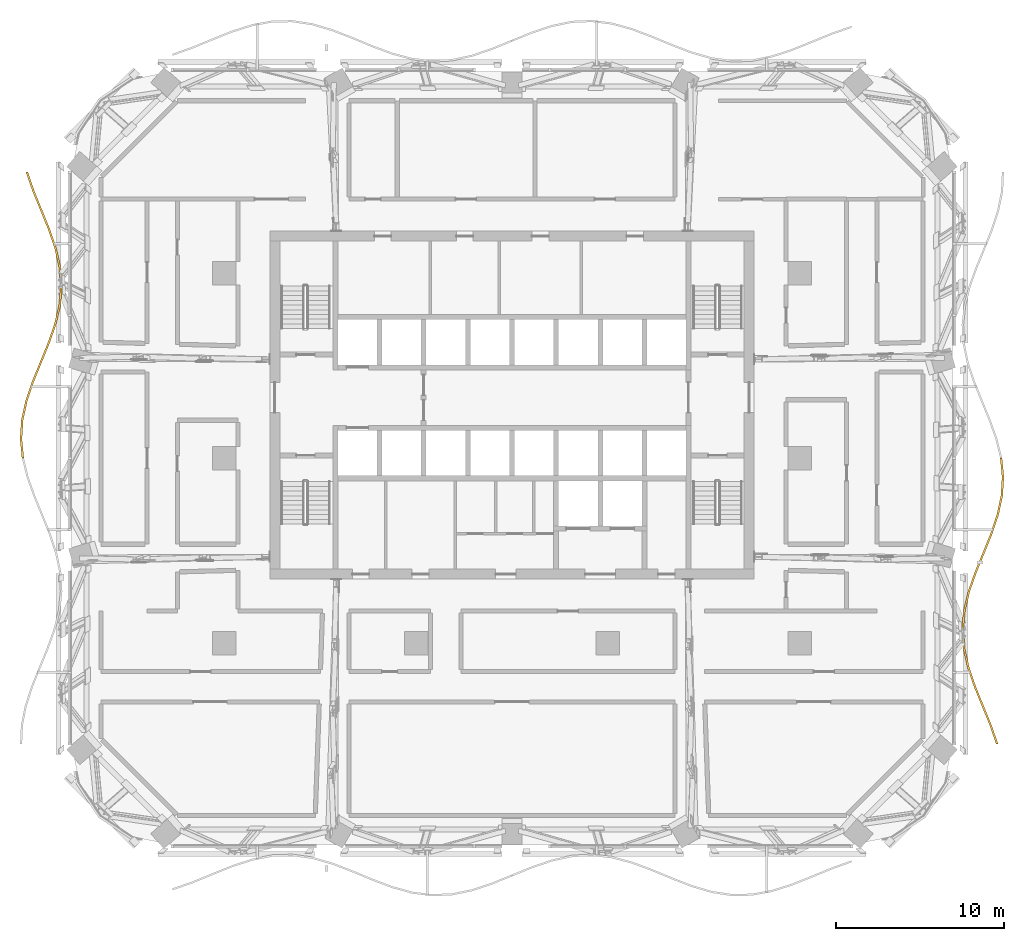
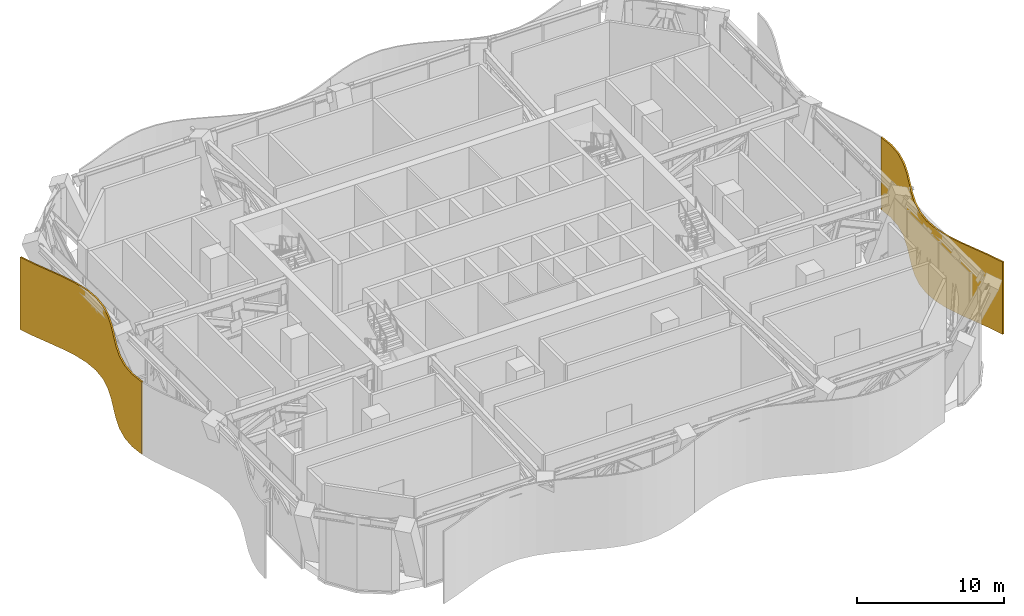
# One storey, part 23 of 26: 2 shading devices.
"""IFC4 building model written with IfcOpenShell, lengths in metres."""

import ifcopenshell
import ifcopenshell.guid

model = None  # the IFC model being written
_history = None  # IfcOwnerHistory: only IFC2X3 demands one
_inside = {}  # id of a spatial element -> (the spatial element, [elements in it])
_under = {}  # id of a project, library or spatial element -> (it, [spatial elements below it])
_declared = {}  # id of a project -> (the project, [libraries it declares])
_typed = {}  # id of a type object -> (the type object, [elements of that type])
_made_of = {}  # id of a material, layer set ... -> (it, [elements and type objects made of it])


def new_model(schema):
    """Start an empty IFC model of exactly this schema.

    Asked for "IFC4X3", IfcOpenShell would pick the latest addendum, in which some entities
    have other attributes; the version numbers below select the first issue.
    IFC2X3 requires an IfcOwnerHistory on every rooted entity: one is made here for all.
    """
    global model, _history
    if schema == "IFC4X3":
        model = ifcopenshell.file(schema_version=(4, 3, 0, 0))
    else:
        model = ifcopenshell.file(schema=schema)
    _inside.clear()
    _under.clear()
    _declared.clear()
    _typed.clear()
    _made_of.clear()
    _history = None
    if model.schema == "IFC2X3":
        org = make("IfcOrganization", Name="unknown")
        user = make(
            "IfcPersonAndOrganization",
            ThePerson=make("IfcPerson", FamilyName="unknown"),
            TheOrganization=org,
        )
        app = make(
            "IfcApplication",
            ApplicationDeveloper=org,
            Version="unknown",
            ApplicationFullName="unknown",
            ApplicationIdentifier="unknown",
        )
        _history = make(
            "IfcOwnerHistory",
            OwningUser=user,
            OwningApplication=app,
            ChangeAction="ADDED",
            CreationDate=0,
        )
    return model


def make(cls, **values):
    """One entity of the class cls with the attributes given. An attribute that is None is left unset."""
    return model.create_entity(
        cls, **{name: value for name, value in values.items() if value is not None}
    )


def rooted(cls, **values):
    """An entity with a GlobalId (a new one), such as an element, a storey or a relation."""
    return make(cls, GlobalId=ifcopenshell.guid.new(), OwnerHistory=_history, **values)


def si_unit(unit_type, name, prefix=None):
    """IfcSIUnit, for example si_unit("LENGTHUNIT", "METRE", prefix="MILLI")."""
    return make("IfcSIUnit", UnitType=unit_type, Prefix=prefix, Name=name)


def assignment(units):
    """IfcUnitAssignment: the units of a project."""
    return None if units is None else make("IfcUnitAssignment", Units=units)


def point(xyz):
    """IfcCartesianPoint."""
    return None if xyz is None else make("IfcCartesianPoint", Coordinates=xyz)


def direction(xyz):
    """IfcDirection."""
    return None if xyz is None else make("IfcDirection", DirectionRatios=xyz)


def frame(location, z_axis=None, x_axis=None):
    """IfcAxis2Placement3D, a coordinate frame: its origin and axes. An axis left out is left unset."""
    return make(
        "IfcAxis2Placement3D",
        Location=point(location),
        Axis=direction(z_axis),
        RefDirection=direction(x_axis),
    )


def origin():
    """The frame at (0, 0, 0) with its axes left unset."""
    return frame((0.0, 0.0, 0.0))


def place(relative_to, where):
    """IfcLocalPlacement: puts the frame where relative to a parent placement (None: the world)."""
    return make(
        "IfcLocalPlacement", PlacementRelTo=relative_to, RelativePlacement=where
    )


def context(
    kind, dimensions, precision=None, world=None, true_north=None, identifier=None
):
    """IfcGeometricRepresentationContext, for example the 3D "Model" context."""
    return make(
        "IfcGeometricRepresentationContext",
        ContextIdentifier=identifier,
        ContextType=kind,
        CoordinateSpaceDimension=dimensions,
        Precision=precision,
        WorldCoordinateSystem=world,
        TrueNorth=true_north,
    )


def subcontext(parent, identifier, kind, view, scale=None):
    """IfcGeometricRepresentationSubContext, for example "Body" below "Model"."""
    return make(
        "IfcGeometricRepresentationSubContext",
        ContextIdentifier=identifier,
        ContextType=kind,
        ParentContext=parent,
        TargetScale=scale,
        TargetView=view,
    )


def project(units=None, contexts=None):
    """IfcProject with its units and contexts."""
    return rooted(
        "IfcProject",
        Name="project",
        RepresentationContexts=contexts,
        UnitsInContext=assignment(units),
    )


def spatial(cls, under=None, at=None, **own):
    """A site, building, storey or space (cls), placed at a placement, below another one or the project."""
    s = rooted(cls, ObjectPlacement=at, **own)
    if under is not None:
        _under.setdefault(under.id(), (under, []))[1].append(s)
    return s


def polyline(points):
    """IfcPolyline through the points."""
    return make("IfcPolyline", Points=[point(p) for p in points])


def outline(outer, holes=None, kind="AREA"):
    """IfcArbitraryClosedProfileDef: a profile drawn as a closed curve; with holes, ...WithVoids."""
    if holes is None:
        return make("IfcArbitraryClosedProfileDef", ProfileType=kind, OuterCurve=outer)
    return make(
        "IfcArbitraryProfileDefWithVoids",
        ProfileType=kind,
        OuterCurve=outer,
        InnerCurves=holes,
    )


def extrude(swept, where, along, depth):
    """IfcExtrudedAreaSolid: the profile swept, set in the frame where, extruded along a direction by depth."""
    return make(
        "IfcExtrudedAreaSolid",
        SweptArea=swept,
        Position=where,
        ExtrudedDirection=direction(along),
        Depth=depth,
    )


def shape(context_of_items, identifier, shape_type, items):
    """IfcShapeRepresentation: the items that make up one representation, for example the "Body"."""
    return make(
        "IfcShapeRepresentation",
        ContextOfItems=context_of_items,
        RepresentationIdentifier=identifier,
        RepresentationType=shape_type,
        Items=items,
    )


def material(Name=None, Category=None):
    """IfcMaterial."""
    return make("IfcMaterial", Name=Name, Category=Category)


def layer(
    of_material, thickness, ventilated=None, Name=None, Category=None, Priority=None
):
    """IfcMaterialLayer: one layer of a wall or slab, of a material (None: an air gap)."""
    return make(
        "IfcMaterialLayer",
        Material=of_material,
        LayerThickness=thickness,
        IsVentilated=ventilated,
        Name=Name,
        Category=Category,
        Priority=Priority,
    )


def layer_set(layers, Name=None):
    """IfcMaterialLayerSet."""
    return make("IfcMaterialLayerSet", MaterialLayers=layers, LayerSetName=Name)


def made_of(thing, what):
    """Note that an element or type object is made of a material, layer set ...; save() writes the relation."""
    if what is not None:
        _made_of.setdefault(what.id(), (what, []))[1].append(thing)
    return thing


def type_object(cls, material=None, **own):
    """A type object (cls), such as IfcWallType, which elements share."""
    return made_of(rooted(cls, **own), material)


def element(
    cls,
    number,
    at=None,
    inside=None,
    cuts=None,
    type_object=None,
    material=None,
    context=None,
    identifier="Body",
    shape_type=None,
    held_by="IfcProductDefinitionShape",
    body=None,
    shapes=None,
    **own,
):
    """One element of the class cls, such as IfcWall. Its Tag is "e" and its number.

    at: its placement. inside: the storey or other place that contains it. cuts: it is an
    opening in that element (IfcRelVoidsElement). A single representation is given by context,
    identifier, shape_type and body (its items); several are given by shapes. held_by: the class
    of the entity that holds the representations. save() writes the other relations.
    """
    e = rooted(cls, Tag="e%d" % number, ObjectPlacement=at, **own)
    if body is not None:
        shapes = [shape(context, identifier, shape_type, body)]
    if shapes is not None:
        e.Representation = make(held_by, Representations=shapes)
    if inside is not None:
        _inside.setdefault(inside.id(), (inside, []))[1].append(e)
    if cuts is not None:
        rooted(
            "IfcRelVoidsElement", RelatingBuildingElement=cuts, RelatedOpeningElement=e
        )
    if type_object is not None:
        _typed.setdefault(type_object.id(), (type_object, []))[1].append(e)
    return made_of(e, material)


def aggregate(whole, parts):
    """IfcRelAggregates: a whole, such as a stair, and the parts it consists of."""
    return rooted("IfcRelAggregates", RelatingObject=whole, RelatedObjects=parts)


def save(model, path):
    """Write the relations noted so far, then the file.

    IfcRelAggregates (storeys below a building ...), IfcRelContainedInSpatialStructure (elements
    in a storey), IfcRelDefinesByType, IfcRelAssociatesMaterial and IfcRelDeclares: one each for
    every whole, place, type object, material and project.
    """
    for whole, parts in _under.values():
        aggregate(whole, parts)
    for where, things in _inside.values():
        rooted(
            "IfcRelContainedInSpatialStructure",
            RelatedElements=things,
            RelatingStructure=where,
        )
    for kind, things in _typed.values():
        rooted("IfcRelDefinesByType", RelatedObjects=things, RelatingType=kind)
    for what, things in _made_of.values():
        rooted("IfcRelAssociatesMaterial", RelatedObjects=things, RelatingMaterial=what)
    for by, libraries in _declared.values():
        rooted("IfcRelDeclares", RelatingContext=by, RelatedDefinitions=libraries)
    model.write(path)


model = new_model("IFC4")

# Units and contexts
model_context = context("Model", 3, precision=1e-05, world=origin(), true_north=direction((0.0, 1.0)))
body_context = subcontext(model_context, "Body", "Model", "MODEL_VIEW")
ifc_project = project(units=[si_unit("LENGTHUNIT", "METRE"), si_unit("AREAUNIT", "SQUARE_METRE"), si_unit("VOLUMEUNIT", "CUBIC_METRE"), si_unit("PLANEANGLEUNIT", "RADIAN"), si_unit("MASSUNIT", "GRAM", prefix="KILO")], contexts=[model_context])

# Site, building, storey
site_placement = place(None, origin())
site = spatial("IfcSite", under=ifc_project, at=site_placement, CompositionType="ELEMENT")
building_placement = place(site_placement, origin())
building = spatial("IfcBuilding", under=site, at=building_placement, Name="Mopane Tessera Tower", CompositionType="ELEMENT")
storey_placement = place(building_placement, frame((0.0, 0.0, 205.0)))
storey = spatial("IfcBuildingStorey", under=building, at=storey_placement, Name="L43", CompositionType="ELEMENT", Elevation=205.0)

# Shading devices
ifc_material = material(Name="Anodised aluminium louvre blades", Category="aluminium")
ifc_layer = layer(ifc_material, 0.1201171875)
ifc_layer_set = layer_set([ifc_layer], Name="Anodised aluminium louvre blades")
shading_device_type = type_object("IfcShadingDeviceType", Name="Wave louvre screen", PredefinedType="JALOUSIE", material=ifc_layer_set)
shading_device_1_placement = place(storey_placement, frame((0.0, 0.0, -0.419921875)))
element("IfcShadingDevice", 1, at=shading_device_1_placement, inside=storey, type_object=shading_device_type, Name="e:lv:L43:E:0", PredefinedType="JALOUSIE", context=body_context, shape_type="SweptSolid", body=[
    extrude(outline(polyline([(28.78857421875, -17.0), (28.39599609375, -15.86669921875), (27.93310546875, -14.7333984375), (27.47119140625, -13.60009765625), (27.08154296875, -12.466552734375), (26.82470703125, -11.333251953125), (26.740234375, -10.199951171875), (26.8408203125, -9.066650390625), (27.111328125, -7.933349609375), (27.510009765625, -6.800048828125), (27.974853515625, -5.666748046875), (28.4345703125, -4.533447265625), (28.817626953125, -3.39990234375), (29.065185546875, -2.2666015625), (29.138916015625, -1.13330078125), (29.027587890625, 0.0), (29.1474609375, 0.0), (29.259033203125, -1.13330078125), (29.185302734375, -2.2666015625), (28.937744140625, -3.39990234375), (28.554443359375, -4.533447265625), (28.094970703125, -5.666748046875), (27.6298828125, -6.800048828125), (27.2314453125, -7.933349609375), (26.9609375, -9.066650390625), (26.860107421875, -10.199951171875), (26.94482421875, -11.333251953125), (27.20166015625, -12.466552734375), (27.591064453125, -13.60009765625), (28.052978515625, -14.7333984375), (28.51611328125, -15.86669921875), (28.908447265625, -17.0), (28.78857421875, -17.0)])), origin(), (0.0, 0.0, 1.0), 6.02001953125),
])
shading_device_2_placement = place(storey_placement, frame((0.0, 0.0, -0.419921875)))
element("IfcShadingDevice", 2, at=shading_device_2_placement, inside=storey, type_object=shading_device_type, Name="e:lv:L43:W:0", PredefinedType="JALOUSIE", context=body_context, shape_type="SweptSolid", body=[
    extrude(outline(polyline([(-28.78857421875, 17.0), (-28.39599609375, 15.86669921875), (-27.93310546875, 14.7333984375), (-27.47119140625, 13.60009765625), (-27.08154296875, 12.466552734375), (-26.82470703125, 11.333251953125), (-26.740234375, 10.199951171875), (-26.8408203125, 9.066650390625), (-27.111328125, 7.933349609375), (-27.510009765625, 6.800048828125), (-27.974853515625, 5.666748046875), (-28.4345703125, 4.533447265625), (-28.817626953125, 3.39990234375), (-29.065185546875, 2.2666015625), (-29.138916015625, 1.13330078125), (-29.027587890625, 0.0), (-29.1474609375, 0.0), (-29.259033203125, 1.13330078125), (-29.185302734375, 2.2666015625), (-28.937744140625, 3.39990234375), (-28.554443359375, 4.533447265625), (-28.094970703125, 5.666748046875), (-27.6298828125, 6.800048828125), (-27.2314453125, 7.933349609375), (-26.9609375, 9.066650390625), (-26.860107421875, 10.199951171875), (-26.94482421875, 11.333251953125), (-27.20166015625, 12.466552734375), (-27.591064453125, 13.60009765625), (-28.052978515625, 14.7333984375), (-28.51611328125, 15.86669921875), (-28.908447265625, 17.0), (-28.78857421875, 17.0)])), origin(), (0.0, 0.0, 1.0), 6.02001953125),
])

save(model, "model.ifc")
